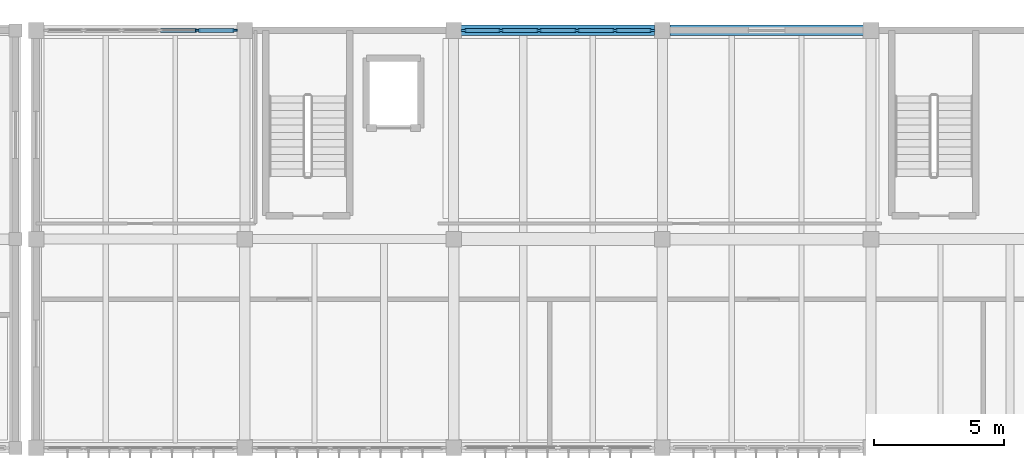
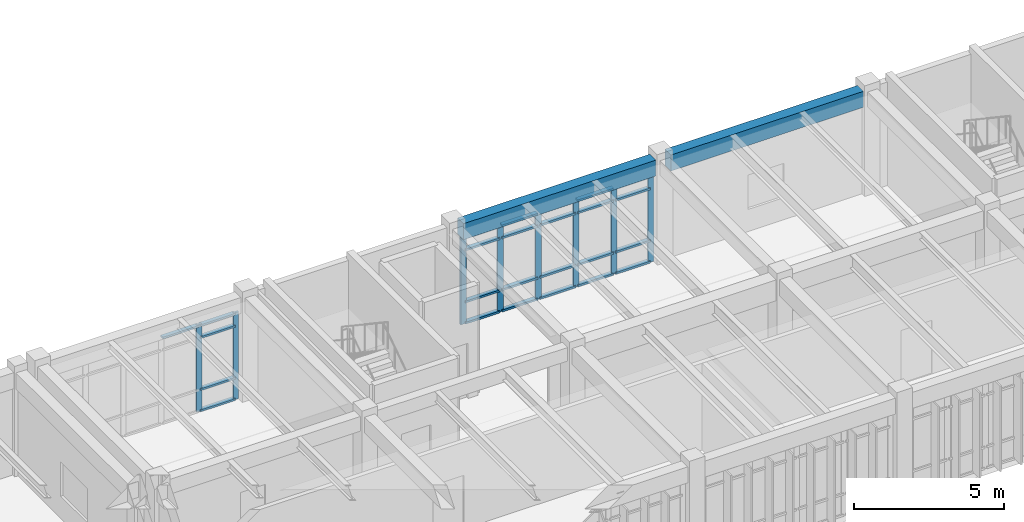
# One storey, part 29 of 79: 33 members, 2 beams, 2 elements without a shape of their own.
"""IFC4 building model written with IfcOpenShell, lengths in metres."""

import ifcopenshell
import ifcopenshell.guid

model = None  # the IFC model being written
_history = None  # IfcOwnerHistory: only IFC2X3 demands one
_inside = {}  # id of a spatial element -> (the spatial element, [elements in it])
_under = {}  # id of a project, library or spatial element -> (it, [spatial elements below it])
_declared = {}  # id of a project -> (the project, [libraries it declares])
_typed = {}  # id of a type object -> (the type object, [elements of that type])
_made_of = {}  # id of a material, layer set ... -> (it, [elements and type objects made of it])


def new_model(schema):
    """Start an empty IFC model of exactly this schema.

    Asked for "IFC4X3", IfcOpenShell would pick the latest addendum, in which some entities
    have other attributes; the version numbers below select the first issue.
    IFC2X3 requires an IfcOwnerHistory on every rooted entity: one is made here for all.
    """
    global model, _history
    if schema == "IFC4X3":
        model = ifcopenshell.file(schema_version=(4, 3, 0, 0))
    else:
        model = ifcopenshell.file(schema=schema)
    _inside.clear()
    _under.clear()
    _declared.clear()
    _typed.clear()
    _made_of.clear()
    _history = None
    if model.schema == "IFC2X3":
        org = make("IfcOrganization", Name="unknown")
        user = make(
            "IfcPersonAndOrganization",
            ThePerson=make("IfcPerson", FamilyName="unknown"),
            TheOrganization=org,
        )
        app = make(
            "IfcApplication",
            ApplicationDeveloper=org,
            Version="unknown",
            ApplicationFullName="unknown",
            ApplicationIdentifier="unknown",
        )
        _history = make(
            "IfcOwnerHistory",
            OwningUser=user,
            OwningApplication=app,
            ChangeAction="ADDED",
            CreationDate=0,
        )
    return model


def make(cls, **values):
    """One entity of the class cls with the attributes given. An attribute that is None is left unset."""
    return model.create_entity(
        cls, **{name: value for name, value in values.items() if value is not None}
    )


def rooted(cls, **values):
    """An entity with a GlobalId (a new one), such as an element, a storey or a relation."""
    return make(cls, GlobalId=ifcopenshell.guid.new(), OwnerHistory=_history, **values)


def si_unit(unit_type, name, prefix=None):
    """IfcSIUnit, for example si_unit("LENGTHUNIT", "METRE", prefix="MILLI")."""
    return make("IfcSIUnit", UnitType=unit_type, Prefix=prefix, Name=name)


def assignment(units):
    """IfcUnitAssignment: the units of a project."""
    return None if units is None else make("IfcUnitAssignment", Units=units)


def point(xyz):
    """IfcCartesianPoint."""
    return None if xyz is None else make("IfcCartesianPoint", Coordinates=xyz)


def direction(xyz):
    """IfcDirection."""
    return None if xyz is None else make("IfcDirection", DirectionRatios=xyz)


def frame(location, z_axis=None, x_axis=None):
    """IfcAxis2Placement3D, a coordinate frame: its origin and axes. An axis left out is left unset."""
    return make(
        "IfcAxis2Placement3D",
        Location=point(location),
        Axis=direction(z_axis),
        RefDirection=direction(x_axis),
    )


def frame_2d(location, x_axis=None):
    """IfcAxis2Placement2D, a coordinate frame in the plane: its origin and x axis."""
    return make(
        "IfcAxis2Placement2D", Location=point(location), RefDirection=direction(x_axis)
    )


def origin():
    """The frame at (0, 0, 0) with its axes left unset."""
    return frame((0.0, 0.0, 0.0))


def origin_2d():
    """The frame at (0, 0) in the plane with its x axis left unset."""
    return frame_2d((0.0, 0.0))


def place(relative_to, where):
    """IfcLocalPlacement: puts the frame where relative to a parent placement (None: the world)."""
    return make(
        "IfcLocalPlacement", PlacementRelTo=relative_to, RelativePlacement=where
    )


def context(
    kind, dimensions, precision=None, world=None, true_north=None, identifier=None
):
    """IfcGeometricRepresentationContext, for example the 3D "Model" context."""
    return make(
        "IfcGeometricRepresentationContext",
        ContextIdentifier=identifier,
        ContextType=kind,
        CoordinateSpaceDimension=dimensions,
        Precision=precision,
        WorldCoordinateSystem=world,
        TrueNorth=true_north,
    )


def subcontext(parent, identifier, kind, view, scale=None):
    """IfcGeometricRepresentationSubContext, for example "Body" below "Model"."""
    return make(
        "IfcGeometricRepresentationSubContext",
        ContextIdentifier=identifier,
        ContextType=kind,
        ParentContext=parent,
        TargetScale=scale,
        TargetView=view,
    )


def project(units=None, contexts=None):
    """IfcProject with its units and contexts."""
    return rooted(
        "IfcProject",
        Name="project",
        RepresentationContexts=contexts,
        UnitsInContext=assignment(units),
    )


def spatial(cls, under=None, at=None, **own):
    """A site, building, storey or space (cls), placed at a placement, below another one or the project."""
    s = rooted(cls, ObjectPlacement=at, **own)
    if under is not None:
        _under.setdefault(under.id(), (under, []))[1].append(s)
    return s


def profile(cls, at=None, kind="AREA", **sizes):
    """A parametric profile (cls). Its sizes go by their IFC names, for example OverallWidth=200.0."""
    return make(cls, ProfileType=kind, Position=at, **sizes)


def rectangle(**sizes):
    """IfcRectangleProfileDef."""
    return profile("IfcRectangleProfileDef", **sizes)


def extrude(swept, where, along, depth):
    """IfcExtrudedAreaSolid: the profile swept, set in the frame where, extruded along a direction by depth."""
    return make(
        "IfcExtrudedAreaSolid",
        SweptArea=swept,
        Position=where,
        ExtrudedDirection=direction(along),
        Depth=depth,
    )


def shape(context_of_items, identifier, shape_type, items):
    """IfcShapeRepresentation: the items that make up one representation, for example the "Body"."""
    return make(
        "IfcShapeRepresentation",
        ContextOfItems=context_of_items,
        RepresentationIdentifier=identifier,
        RepresentationType=shape_type,
        Items=items,
    )


def material(Name=None, Category=None):
    """IfcMaterial."""
    return make("IfcMaterial", Name=Name, Category=Category)


def material_profile(
    of_material, cross_section, Name=None, Category=None, Priority=None
):
    """IfcMaterialProfile: a cross section and its material."""
    return make(
        "IfcMaterialProfile",
        Name=Name,
        Material=of_material,
        Profile=cross_section,
        Priority=Priority,
        Category=Category,
    )


def profile_set(profiles, Name=None, composite=None):
    """IfcMaterialProfileSet."""
    return make(
        "IfcMaterialProfileSet",
        Name=Name,
        MaterialProfiles=profiles,
        CompositeProfile=composite,
    )


def made_of(thing, what):
    """Note that an element or type object is made of a material, layer set ...; save() writes the relation."""
    if what is not None:
        _made_of.setdefault(what.id(), (what, []))[1].append(thing)
    return thing


def type_object(cls, material=None, **own):
    """A type object (cls), such as IfcWallType, which elements share."""
    return made_of(rooted(cls, **own), material)


def element(
    cls,
    number,
    at=None,
    inside=None,
    cuts=None,
    type_object=None,
    material=None,
    context=None,
    identifier="Body",
    shape_type=None,
    held_by="IfcProductDefinitionShape",
    body=None,
    shapes=None,
    **own,
):
    """One element of the class cls, such as IfcWall. Its Tag is "e" and its number.

    at: its placement. inside: the storey or other place that contains it. cuts: it is an
    opening in that element (IfcRelVoidsElement). A single representation is given by context,
    identifier, shape_type and body (its items); several are given by shapes. held_by: the class
    of the entity that holds the representations. save() writes the other relations.
    """
    e = rooted(cls, Tag="e%d" % number, ObjectPlacement=at, **own)
    if body is not None:
        shapes = [shape(context, identifier, shape_type, body)]
    if shapes is not None:
        e.Representation = make(held_by, Representations=shapes)
    if inside is not None:
        _inside.setdefault(inside.id(), (inside, []))[1].append(e)
    if cuts is not None:
        rooted(
            "IfcRelVoidsElement", RelatingBuildingElement=cuts, RelatedOpeningElement=e
        )
    if type_object is not None:
        _typed.setdefault(type_object.id(), (type_object, []))[1].append(e)
    return made_of(e, material)


def aggregate(whole, parts):
    """IfcRelAggregates: a whole, such as a stair, and the parts it consists of."""
    return rooted("IfcRelAggregates", RelatingObject=whole, RelatedObjects=parts)


def save(model, path):
    """Write the relations noted so far, then the file.

    IfcRelAggregates (storeys below a building ...), IfcRelContainedInSpatialStructure (elements
    in a storey), IfcRelDefinesByType, IfcRelAssociatesMaterial and IfcRelDeclares: one each for
    every whole, place, type object, material and project.
    """
    for whole, parts in _under.values():
        aggregate(whole, parts)
    for where, things in _inside.values():
        rooted(
            "IfcRelContainedInSpatialStructure",
            RelatedElements=things,
            RelatingStructure=where,
        )
    for kind, things in _typed.values():
        rooted("IfcRelDefinesByType", RelatedObjects=things, RelatingType=kind)
    for what, things in _made_of.values():
        rooted("IfcRelAssociatesMaterial", RelatedObjects=things, RelatingMaterial=what)
    for by, libraries in _declared.values():
        rooted("IfcRelDeclares", RelatingContext=by, RelatedDefinitions=libraries)
    model.write(path)


model = new_model("IFC4")

# Units and contexts
model_context = context("Model", 3, precision=1e-05, world=origin(), true_north=direction((0.0, 1.0)))
body_context = subcontext(model_context, "Body", "Model", "MODEL_VIEW")
ifc_project = project(units=[si_unit("LENGTHUNIT", "METRE"), si_unit("AREAUNIT", "SQUARE_METRE"), si_unit("VOLUMEUNIT", "CUBIC_METRE"), si_unit("PLANEANGLEUNIT", "RADIAN"), si_unit("MASSUNIT", "GRAM", prefix="KILO")], contexts=[model_context])

# Site, building, storey
site_placement = place(None, origin())
site = spatial("IfcSite", under=ifc_project, at=site_placement, CompositionType="ELEMENT")
building_placement = place(site_placement, origin())
building = spatial("IfcBuilding", under=site, at=building_placement, Name="Tlaxcora Railside Police Headquarters", CompositionType="ELEMENT")
storey_placement = place(building_placement, frame((0.0, 0.0, 9.0)))
storey = spatial("IfcBuildingStorey", under=building, at=storey_placement, Name="L02", CompositionType="ELEMENT", Elevation=9.0)

# Curtain wall, members
ifc_material_1 = material(Name="Thermally broken low-E insulated glazing", Category="glass")
curtain_wall_type_1 = type_object("IfcCurtainWallType", Name="Unitised Curtain Wall Assembly CW-23", PredefinedType="NOTDEFINED", material=ifc_material_1)
curtain_wall_1_placement = place(storey_placement, origin())
curtain_wall_1 = element("IfcCurtainWall", 1, at=curtain_wall_1_placement, inside=storey, type_object=curtain_wall_type_1, Name="V6 L02 curtain wall 160", PredefinedType="NOTDEFINED")
ifc_material_2 = material(Name="Anodised aluminium framing", Category="aluminium")
ifc_material_profile_1 = material_profile(ifc_material_2, rectangle(XDim=0.080078125, YDim=0.219970703125, at=origin_2d()), Name="AL80X220")
ifc_profile_set_1 = profile_set([ifc_material_profile_1], Name="Anodised aluminium framing")
member_type_1 = type_object("IfcMemberType", Name="Curtain Wall Mullion CW-31", PredefinedType="MULLION", material=ifc_profile_set_1)
member_1_placement = place(storey_placement, frame((126.409912109375, 92.800048828125, 0.0), z_axis=(0.0, 0.0, 1.0), x_axis=(0.0, -1.0, 0.0)))
member_1 = element("IfcMember", 2, at=member_1_placement, type_object=member_type_1, Name="CW mullion 1", PredefinedType="MULLION", context=body_context, shape_type="SweptSolid", body=[
    extrude(rectangle(XDim=0.080078125, YDim=0.219970703125, at=origin_2d()), origin(), (0.0, 0.0, 1.0), 3.550048828125),
])
member_2_placement = place(storey_placement, frame((124.989990234375, 92.800048828125, 0.0), z_axis=(0.0, 0.0, 1.0), x_axis=(0.0, -1.0, 0.0)))
member_2 = element("IfcMember", 3, at=member_2_placement, type_object=member_type_1, Name="CW mullion 2", PredefinedType="MULLION", context=body_context, shape_type="SweptSolid", body=[
    extrude(rectangle(XDim=0.080078125, YDim=0.219970703125, at=origin_2d()), origin(), (0.0, 0.0, 1.0), 3.550048828125),
])
member_3_placement = place(storey_placement, frame((123.530029296875, 92.800048828125, 0.0), z_axis=(0.0, 0.0, 1.0), x_axis=(0.0, -1.0, 0.0)))
member_3 = element("IfcMember", 4, at=member_3_placement, type_object=member_type_1, Name="CW mullion 3", PredefinedType="MULLION", context=body_context, shape_type="SweptSolid", body=[
    extrude(rectangle(XDim=0.080078125, YDim=0.219970703125, at=origin_2d()), origin(), (0.0, 0.0, 1.0), 3.550048828125),
])
member_4_placement = place(storey_placement, frame((122.070068359375, 92.800048828125, 0.0), z_axis=(0.0, 0.0, 1.0), x_axis=(0.0, -1.0, 0.0)))
member_4 = element("IfcMember", 5, at=member_4_placement, type_object=member_type_1, Name="CW mullion 4", PredefinedType="MULLION", context=body_context, shape_type="SweptSolid", body=[
    extrude(rectangle(XDim=0.080078125, YDim=0.219970703125, at=origin_2d()), origin(), (0.0, 0.0, 1.0), 3.550048828125),
])
member_5_placement = place(storey_placement, frame((120.610107421875, 92.800048828125, 0.0), z_axis=(0.0, 0.0, 1.0), x_axis=(0.0, -1.0, 0.0)))
member_5 = element("IfcMember", 6, at=member_5_placement, type_object=member_type_1, Name="CW mullion 5", PredefinedType="MULLION", context=body_context, shape_type="SweptSolid", body=[
    extrude(rectangle(XDim=0.080078125, YDim=0.219970703125, at=origin_2d()), origin(), (0.0, 0.0, 1.0), 3.550048828125),
])
member_6_placement = place(storey_placement, frame((119.18994140625, 92.800048828125, 0.0), z_axis=(0.0, 0.0, 1.0), x_axis=(0.0, -1.0, 0.0)))
member_6 = element("IfcMember", 7, at=member_6_placement, type_object=member_type_1, Name="CW mullion 6", PredefinedType="MULLION", context=body_context, shape_type="SweptSolid", body=[
    extrude(rectangle(XDim=0.080078125, YDim=0.219970703125, at=origin_2d()), origin(), (0.0, 0.0, 1.0), 3.550048828125),
])

curtain_wall_type_2 = type_object("IfcCurtainWallType", Name="Unitised Curtain Wall Assembly CW-38", PredefinedType="NOTDEFINED", material=ifc_material_1)
curtain_wall_2_placement = place(storey_placement, origin())
curtain_wall_2 = element("IfcCurtainWall", 8, at=curtain_wall_2_placement, inside=storey, type_object=curtain_wall_type_2, Name="V6 L02 curtain wall 161", PredefinedType="NOTDEFINED")
ifc_material_profile_2 = material_profile(ifc_material_2, rectangle(XDim=0.074951171875, YDim=0.205078125, at=origin_2d()), Name="AL75X205")
ifc_profile_set_2 = profile_set([ifc_material_profile_2], Name="Anodised aluminium framing")
member_type_2 = type_object("IfcMemberType", Name="Curtain Wall Mullion CW-32", PredefinedType="MULLION", material=ifc_profile_set_2)
member_7_placement = place(storey_placement, frame((110.41259765625, 92.800048828125, 0.0), z_axis=(0.0, 0.0, 1.0), x_axis=(0.0, -1.0, 0.0)))
member_7 = element("IfcMember", 9, at=member_7_placement, type_object=member_type_2, Name="CW mullion 1", PredefinedType="MULLION", context=body_context, shape_type="SweptSolid", body=[
    extrude(rectangle(XDim=0.074951171875, YDim=0.205078125, at=origin_2d()), origin(), (0.0, 0.0, 1.0), 3.550048828125),
])
member_8_placement = place(storey_placement, frame((108.989990234375, 92.800048828125, 0.0), z_axis=(0.0, 0.0, 1.0), x_axis=(0.0, -1.0, 0.0)))
member_8 = element("IfcMember", 10, at=member_8_placement, type_object=member_type_2, Name="CW mullion 2", PredefinedType="MULLION", context=body_context, shape_type="SweptSolid", body=[
    extrude(rectangle(XDim=0.074951171875, YDim=0.205078125, at=origin_2d()), origin(), (0.0, 0.0, 1.0), 3.550048828125),
])
ifc_material_profile_3 = material_profile(ifc_material_2, rectangle(XDim=0.155029296875, YDim=0.074951171875, at=origin_2d()), Name="AL75X155")
ifc_profile_set_3 = profile_set([ifc_material_profile_3], Name="Anodised aluminium framing")
member_type_3 = type_object("IfcMemberType", Name="Curtain Wall Transom CW-30", PredefinedType="USERDEFINED", material=ifc_profile_set_3)
member_9_placement = place(storey_placement, frame((110.375, 92.800048828125, 0.03759765625), z_axis=(-1.0, 0.0, 0.0), x_axis=(0.0, -1.0, 0.0)))
member_9 = element("IfcMember", 11, at=member_9_placement, type_object=member_type_3, Name="CW transom 1.1", ObjectType="TRANSOM", PredefinedType="USERDEFINED", context=body_context, shape_type="SweptSolid", body=[
    extrude(rectangle(XDim=0.155029296875, YDim=0.074951171875, at=origin_2d()), origin(), (0.0, 0.0, 1.0), 1.347412109375),
])
member_10_placement = place(storey_placement, frame((110.375, 92.800048828125, 0.89990234375), z_axis=(-1.0, 0.0, 0.0), x_axis=(0.0, -1.0, 0.0)))
member_10 = element("IfcMember", 12, at=member_10_placement, type_object=member_type_3, Name="CW transom 1.2", ObjectType="TRANSOM", PredefinedType="USERDEFINED", context=body_context, shape_type="SweptSolid", body=[
    extrude(rectangle(XDim=0.155029296875, YDim=0.074951171875, at=origin_2d()), origin(), (0.0, 0.0, 1.0), 1.347412109375),
])
member_11_placement = place(storey_placement, frame((110.375, 92.800048828125, 3.02001953125), z_axis=(-1.0, 0.0, 0.0), x_axis=(0.0, -1.0, 0.0)))
member_11 = element("IfcMember", 13, at=member_11_placement, type_object=member_type_3, Name="CW transom 1.3", ObjectType="TRANSOM", PredefinedType="USERDEFINED", context=body_context, shape_type="SweptSolid", body=[
    extrude(rectangle(XDim=0.155029296875, YDim=0.074951171875, at=origin_2d()), origin(), (0.0, 0.0, 1.0), 1.347412109375),
])
member_12_placement = place(storey_placement, frame((110.375, 92.800048828125, 3.512451171875), z_axis=(-1.0, 0.0, 0.0), x_axis=(0.0, -1.0, 0.0)))
member_12 = element("IfcMember", 14, at=member_12_placement, type_object=member_type_3, Name="CW transom 1.4", ObjectType="TRANSOM", PredefinedType="USERDEFINED", context=body_context, shape_type="SweptSolid", body=[
    extrude(rectangle(XDim=0.155029296875, YDim=0.074951171875, at=origin_2d()), origin(), (0.0, 0.0, 1.0), 1.347412109375),
])
member_13_placement = place(storey_placement, frame((108.952392578125, 92.800048828125, 3.512451171875), z_axis=(-1.0, 0.0, 0.0), x_axis=(0.0, -1.0, 0.0)))
member_13 = element("IfcMember", 15, at=member_13_placement, type_object=member_type_3, Name="CW transom 2.4", ObjectType="TRANSOM", PredefinedType="USERDEFINED", context=body_context, shape_type="SweptSolid", body=[
    extrude(rectangle(XDim=0.155029296875, YDim=0.074951171875, at=origin_2d()), origin(), (0.0, 0.0, 1.0), 1.385009765625),
])
aggregate(curtain_wall_2, [member_7, member_8, member_9, member_10, member_11, member_12, member_13])

# Member
ifc_material_profile_4 = material_profile(ifc_material_2, rectangle(XDim=0.1650390625, YDim=0.080078125, at=origin_2d()), Name="AL80X165")
ifc_profile_set_4 = profile_set([ifc_material_profile_4], Name="Anodised aluminium framing")
member_type_4 = type_object("IfcMemberType", Name="Curtain Wall Transom CW-62", PredefinedType="USERDEFINED", material=ifc_profile_set_4)
member_14_placement = place(storey_placement, frame((126.3701171875, 92.800048828125, 0.0400390625), z_axis=(-1.0, 0.0, 0.0), x_axis=(0.0, -1.0, 0.0)))
member_14 = element("IfcMember", 16, at=member_14_placement, type_object=member_type_4, Name="CW transom 1.1", ObjectType="TRANSOM", PredefinedType="USERDEFINED", context=body_context, shape_type="SweptSolid", body=[
    extrude(rectangle(XDim=0.1650390625, YDim=0.080078125, at=origin_2d()), origin(), (0.0, 0.0, 1.0), 1.340087890625),
])

member_15_placement = place(storey_placement, frame((126.3701171875, 92.800048828125, 0.89990234375), z_axis=(-1.0, 0.0, 0.0), x_axis=(0.0, -1.0, 0.0)))
member_15 = element("IfcMember", 17, at=member_15_placement, type_object=member_type_4, Name="CW transom 1.2", ObjectType="TRANSOM", PredefinedType="USERDEFINED", context=body_context, shape_type="SweptSolid", body=[
    extrude(rectangle(XDim=0.1650390625, YDim=0.080078125, at=origin_2d()), origin(), (0.0, 0.0, 1.0), 1.340087890625),
])

member_16_placement = place(storey_placement, frame((126.3701171875, 92.800048828125, 3.02001953125), z_axis=(-1.0, 0.0, 0.0), x_axis=(0.0, -1.0, 0.0)))
member_16 = element("IfcMember", 18, at=member_16_placement, type_object=member_type_4, Name="CW transom 1.3", ObjectType="TRANSOM", PredefinedType="USERDEFINED", context=body_context, shape_type="SweptSolid", body=[
    extrude(rectangle(XDim=0.1650390625, YDim=0.080078125, at=origin_2d()), origin(), (0.0, 0.0, 1.0), 1.340087890625),
])

member_17_placement = place(storey_placement, frame((126.3701171875, 92.800048828125, 3.510009765625), z_axis=(-1.0, 0.0, 0.0), x_axis=(0.0, -1.0, 0.0)))
member_17 = element("IfcMember", 19, at=member_17_placement, type_object=member_type_4, Name="CW transom 1.4", ObjectType="TRANSOM", PredefinedType="USERDEFINED", context=body_context, shape_type="SweptSolid", body=[
    extrude(rectangle(XDim=0.1650390625, YDim=0.080078125, at=origin_2d()), origin(), (0.0, 0.0, 1.0), 1.340087890625),
])

member_18_placement = place(storey_placement, frame((124.949951171875, 92.800048828125, 0.0400390625), z_axis=(-1.0, 0.0, 0.0), x_axis=(0.0, -1.0, 0.0)))
member_18 = element("IfcMember", 20, at=member_18_placement, type_object=member_type_4, Name="CW transom 2.1", ObjectType="TRANSOM", PredefinedType="USERDEFINED", context=body_context, shape_type="SweptSolid", body=[
    extrude(rectangle(XDim=0.1650390625, YDim=0.080078125, at=origin_2d()), origin(), (0.0, 0.0, 1.0), 1.3798828125),
])

member_19_placement = place(storey_placement, frame((124.949951171875, 92.800048828125, 0.89990234375), z_axis=(-1.0, 0.0, 0.0), x_axis=(0.0, -1.0, 0.0)))
member_19 = element("IfcMember", 21, at=member_19_placement, type_object=member_type_4, Name="CW transom 2.2", ObjectType="TRANSOM", PredefinedType="USERDEFINED", context=body_context, shape_type="SweptSolid", body=[
    extrude(rectangle(XDim=0.1650390625, YDim=0.080078125, at=origin_2d()), origin(), (0.0, 0.0, 1.0), 1.3798828125),
])

member_20_placement = place(storey_placement, frame((124.949951171875, 92.800048828125, 3.02001953125), z_axis=(-1.0, 0.0, 0.0), x_axis=(0.0, -1.0, 0.0)))
member_20 = element("IfcMember", 22, at=member_20_placement, type_object=member_type_4, Name="CW transom 2.3", ObjectType="TRANSOM", PredefinedType="USERDEFINED", context=body_context, shape_type="SweptSolid", body=[
    extrude(rectangle(XDim=0.1650390625, YDim=0.080078125, at=origin_2d()), origin(), (0.0, 0.0, 1.0), 1.3798828125),
])

member_21_placement = place(storey_placement, frame((124.949951171875, 92.800048828125, 3.510009765625), z_axis=(-1.0, 0.0, 0.0), x_axis=(0.0, -1.0, 0.0)))
member_21 = element("IfcMember", 23, at=member_21_placement, type_object=member_type_4, Name="CW transom 2.4", ObjectType="TRANSOM", PredefinedType="USERDEFINED", context=body_context, shape_type="SweptSolid", body=[
    extrude(rectangle(XDim=0.1650390625, YDim=0.080078125, at=origin_2d()), origin(), (0.0, 0.0, 1.0), 1.3798828125),
])

member_22_placement = place(storey_placement, frame((123.489990234375, 92.800048828125, 0.0400390625), z_axis=(-1.0, 0.0, 0.0), x_axis=(0.0, -1.0, 0.0)))
member_22 = element("IfcMember", 24, at=member_22_placement, type_object=member_type_4, Name="CW transom 3.1", ObjectType="TRANSOM", PredefinedType="USERDEFINED", context=body_context, shape_type="SweptSolid", body=[
    extrude(rectangle(XDim=0.1650390625, YDim=0.080078125, at=origin_2d()), origin(), (0.0, 0.0, 1.0), 1.3798828125),
])

member_23_placement = place(storey_placement, frame((123.489990234375, 92.800048828125, 0.89990234375), z_axis=(-1.0, 0.0, 0.0), x_axis=(0.0, -1.0, 0.0)))
member_23 = element("IfcMember", 25, at=member_23_placement, type_object=member_type_4, Name="CW transom 3.2", ObjectType="TRANSOM", PredefinedType="USERDEFINED", context=body_context, shape_type="SweptSolid", body=[
    extrude(rectangle(XDim=0.1650390625, YDim=0.080078125, at=origin_2d()), origin(), (0.0, 0.0, 1.0), 1.3798828125),
])

member_24_placement = place(storey_placement, frame((123.489990234375, 92.800048828125, 3.02001953125), z_axis=(-1.0, 0.0, 0.0), x_axis=(0.0, -1.0, 0.0)))
member_24 = element("IfcMember", 26, at=member_24_placement, type_object=member_type_4, Name="CW transom 3.3", ObjectType="TRANSOM", PredefinedType="USERDEFINED", context=body_context, shape_type="SweptSolid", body=[
    extrude(rectangle(XDim=0.1650390625, YDim=0.080078125, at=origin_2d()), origin(), (0.0, 0.0, 1.0), 1.3798828125),
])

member_25_placement = place(storey_placement, frame((123.489990234375, 92.800048828125, 3.510009765625), z_axis=(-1.0, 0.0, 0.0), x_axis=(0.0, -1.0, 0.0)))
member_25 = element("IfcMember", 27, at=member_25_placement, type_object=member_type_4, Name="CW transom 3.4", ObjectType="TRANSOM", PredefinedType="USERDEFINED", context=body_context, shape_type="SweptSolid", body=[
    extrude(rectangle(XDim=0.1650390625, YDim=0.080078125, at=origin_2d()), origin(), (0.0, 0.0, 1.0), 1.3798828125),
])

member_26_placement = place(storey_placement, frame((122.030029296875, 92.800048828125, 0.0400390625), z_axis=(-1.0, 0.0, 0.0), x_axis=(0.0, -1.0, 0.0)))
member_26 = element("IfcMember", 28, at=member_26_placement, type_object=member_type_4, Name="CW transom 4.1", ObjectType="TRANSOM", PredefinedType="USERDEFINED", context=body_context, shape_type="SweptSolid", body=[
    extrude(rectangle(XDim=0.1650390625, YDim=0.080078125, at=origin_2d()), origin(), (0.0, 0.0, 1.0), 1.380126953125),
])

member_27_placement = place(storey_placement, frame((122.030029296875, 92.800048828125, 0.89990234375), z_axis=(-1.0, 0.0, 0.0), x_axis=(0.0, -1.0, 0.0)))
member_27 = element("IfcMember", 29, at=member_27_placement, type_object=member_type_4, Name="CW transom 4.2", ObjectType="TRANSOM", PredefinedType="USERDEFINED", context=body_context, shape_type="SweptSolid", body=[
    extrude(rectangle(XDim=0.1650390625, YDim=0.080078125, at=origin_2d()), origin(), (0.0, 0.0, 1.0), 1.380126953125),
])

member_28_placement = place(storey_placement, frame((122.030029296875, 92.800048828125, 3.02001953125), z_axis=(-1.0, 0.0, 0.0), x_axis=(0.0, -1.0, 0.0)))
member_28 = element("IfcMember", 30, at=member_28_placement, type_object=member_type_4, Name="CW transom 4.3", ObjectType="TRANSOM", PredefinedType="USERDEFINED", context=body_context, shape_type="SweptSolid", body=[
    extrude(rectangle(XDim=0.1650390625, YDim=0.080078125, at=origin_2d()), origin(), (0.0, 0.0, 1.0), 1.380126953125),
])

member_29_placement = place(storey_placement, frame((122.030029296875, 92.800048828125, 3.510009765625), z_axis=(-1.0, 0.0, 0.0), x_axis=(0.0, -1.0, 0.0)))
member_29 = element("IfcMember", 31, at=member_29_placement, type_object=member_type_4, Name="CW transom 4.4", ObjectType="TRANSOM", PredefinedType="USERDEFINED", context=body_context, shape_type="SweptSolid", body=[
    extrude(rectangle(XDim=0.1650390625, YDim=0.080078125, at=origin_2d()), origin(), (0.0, 0.0, 1.0), 1.380126953125),
])

member_30_placement = place(storey_placement, frame((120.570068359375, 92.800048828125, 0.0400390625), z_axis=(-1.0, 0.0, 0.0), x_axis=(0.0, -1.0, 0.0)))
member_30 = element("IfcMember", 32, at=member_30_placement, type_object=member_type_4, Name="CW transom 5.1", ObjectType="TRANSOM", PredefinedType="USERDEFINED", context=body_context, shape_type="SweptSolid", body=[
    extrude(rectangle(XDim=0.1650390625, YDim=0.080078125, at=origin_2d()), origin(), (0.0, 0.0, 1.0), 1.340087890625),
])

member_31_placement = place(storey_placement, frame((120.570068359375, 92.800048828125, 0.89990234375), z_axis=(-1.0, 0.0, 0.0), x_axis=(0.0, -1.0, 0.0)))
member_31 = element("IfcMember", 33, at=member_31_placement, type_object=member_type_4, Name="CW transom 5.2", ObjectType="TRANSOM", PredefinedType="USERDEFINED", context=body_context, shape_type="SweptSolid", body=[
    extrude(rectangle(XDim=0.1650390625, YDim=0.080078125, at=origin_2d()), origin(), (0.0, 0.0, 1.0), 1.340087890625),
])

member_32_placement = place(storey_placement, frame((120.570068359375, 92.800048828125, 3.02001953125), z_axis=(-1.0, 0.0, 0.0), x_axis=(0.0, -1.0, 0.0)))
member_32 = element("IfcMember", 34, at=member_32_placement, type_object=member_type_4, Name="CW transom 5.3", ObjectType="TRANSOM", PredefinedType="USERDEFINED", context=body_context, shape_type="SweptSolid", body=[
    extrude(rectangle(XDim=0.1650390625, YDim=0.080078125, at=origin_2d()), origin(), (0.0, 0.0, 1.0), 1.340087890625),
])

member_33_placement = place(storey_placement, frame((120.570068359375, 92.800048828125, 3.510009765625), z_axis=(-1.0, 0.0, 0.0), x_axis=(0.0, -1.0, 0.0)))
member_33 = element("IfcMember", 35, at=member_33_placement, type_object=member_type_4, Name="CW transom 5.4", ObjectType="TRANSOM", PredefinedType="USERDEFINED", context=body_context, shape_type="SweptSolid", body=[
    extrude(rectangle(XDim=0.1650390625, YDim=0.080078125, at=origin_2d()), origin(), (0.0, 0.0, 1.0), 1.340087890625),
])

aggregate(curtain_wall_1, [member_1, member_2, member_3, member_4, member_5, member_6, member_14, member_15, member_16, member_17, member_18, member_19, member_20, member_21, member_22, member_23, member_24, member_25, member_26, member_27, member_28, member_29, member_30, member_31, member_32, member_33])

# Beams
ifc_material_3 = material(Name="Concrete C40/50", Category="concrete")
ifc_material_profile_5 = material_profile(ifc_material_3, rectangle(XDim=0.39990234375, YDim=0.64990234375, at=origin_2d()), Name="RC400X650")
ifc_profile_set_5 = profile_set([ifc_material_profile_5], Name="Concrete C40/50")
beam_type = type_object("IfcBeamType", Name="Perimeter Spandrel Beam BM-46", PredefinedType="SPANDREL", material=ifc_profile_set_5)
for number, where, z_axis, x_axis, name in (
    (36, (119.090087890625, 92.800048828125, 3.89501953125), (1.0, 0.0, 0.0), (0.0, 1.0, 0.0), "V6 L02 X-girder Y=92.8"),
    (37, (127.090087890625, 92.800048828125, 3.89501953125), (1.0, 0.0, 0.0), (0.0, 1.0, 0.0), "V6 L02 X-girder Y=92.8"),
):
    element("IfcBeam", number, at=place(storey_placement, frame(where, z_axis=z_axis, x_axis=x_axis)), inside=storey, type_object=beam_type, Name=name, PredefinedType="SPANDREL", context=body_context, shape_type="SweptSolid", body=[
        extrude(rectangle(XDim=0.39990234375, YDim=0.64990234375, at=origin_2d()), origin(), (0.0, 0.0, 1.0), 7.419921875),
    ])

save(model, "model.ifc")
